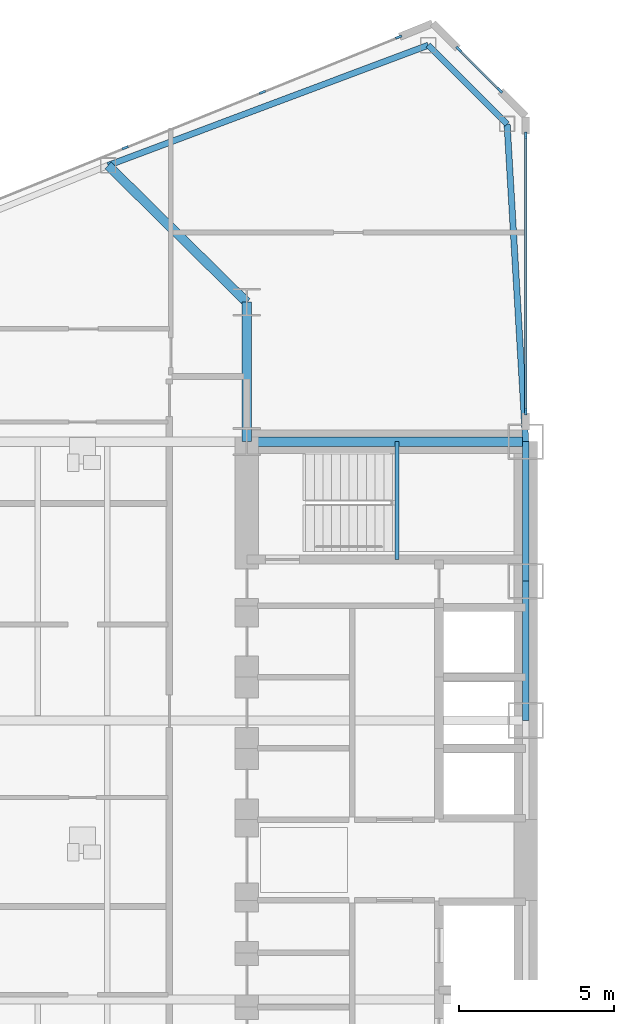
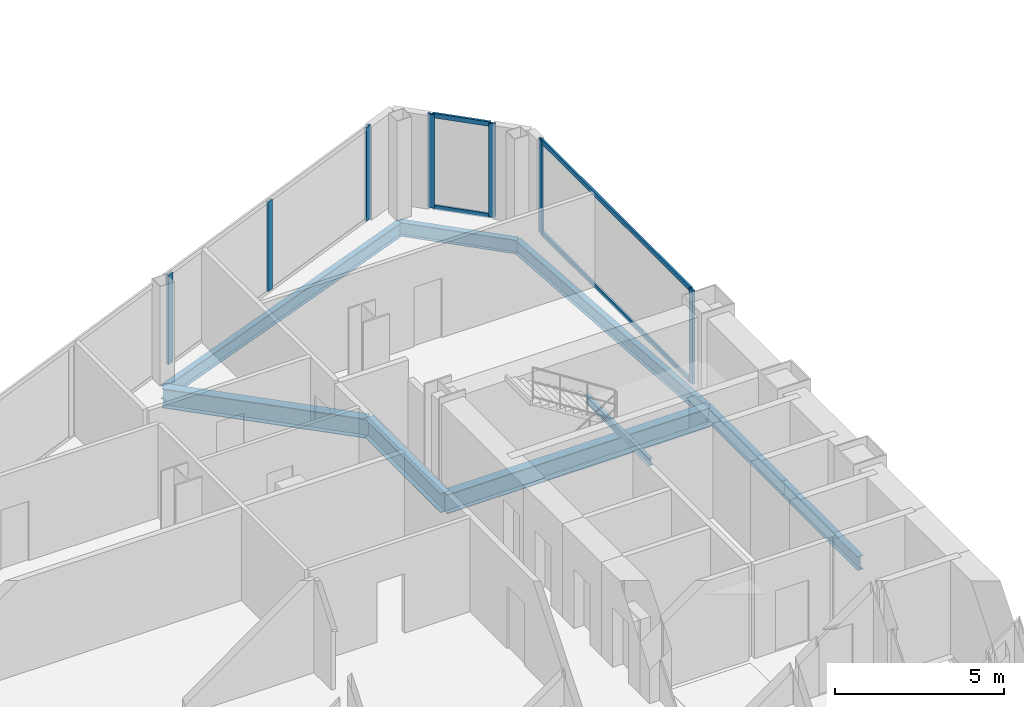
# One storey, part 8 of 25: 11 members, 9 beams, 3 elements without a shape of their own.
"""IFC4 building model written with IfcOpenShell, lengths in metres."""

from ifc_helpers import new_model, si_unit, direction, frame, origin, origin_2d, place, context, subcontext, project, spatial, rectangle, i_section, extrude, source, transform, mapped, material, layer, layer_set, material_profile, profile_set, type_object, type_shapes, element, aggregate, save


model = new_model("IFC4")

# Units and contexts
model_context = context("Model", 3, precision=1e-05, world=origin(), true_north=direction((0.0, 1.0)))
body_context = subcontext(model_context, "Body", "Model", "MODEL_VIEW")
ifc_project = project(units=[si_unit("LENGTHUNIT", "METRE"), si_unit("AREAUNIT", "SQUARE_METRE"), si_unit("VOLUMEUNIT", "CUBIC_METRE"), si_unit("PLANEANGLEUNIT", "RADIAN"), si_unit("MASSUNIT", "GRAM", prefix="KILO")], contexts=[model_context])

# Site, building, storey
site_placement = place(None, origin())
site = spatial("IfcSite", under=ifc_project, at=site_placement, CompositionType="ELEMENT")
building_placement = place(site_placement, origin())
building = spatial("IfcBuilding", under=site, at=building_placement, Name="Seokmaru Belvedere", CompositionType="ELEMENT")
storey_placement = place(building_placement, frame((0.0, 0.0, 36.89990234375)))
storey = spatial("IfcBuildingStorey", under=building, at=storey_placement, Name="L09", CompositionType="ELEMENT", Elevation=36.89990234375)

# Beams
ifc_material_1 = material(Name="Steel SM355 (355 MPa)", Category="steel")
ifc_material_profile_1 = material_profile(ifc_material_1, i_section(OverallWidth=0.199951171875, OverallDepth=0.5, WebThickness=0.010009765625, FlangeThickness=0.01611328125, at=origin_2d()), Name="H-500x200x10x16")
ifc_profile_set_1 = profile_set([ifc_material_profile_1], Name="Steel SM355 (355 MPa)")
beam_type_1 = type_object("IfcBeamType", Name="Perimeter Spandrel Beam H-500", PredefinedType="SPANDREL", material=ifc_profile_set_1)
shared_shape_1 = source(origin(), body_context, "Body", "SweptSolid", [
    extrude(i_section(OverallWidth=0.199951171875, OverallDepth=0.5, WebThickness=0.010009765625, FlangeThickness=0.01611328125, at=origin_2d()), origin(), (0.0, 0.0, 1.0), 4.5),
])
for number, where, z_axis, x_axis, name in (
    (1, (-27.5, 4.5, -0.469970703125), (0.0, 1.0, 0.0), (-1.0, 0.0, 0.0), "L09 W Portal Spine Spandrel 4"),
    (2, (-27.5, 9.0, -0.469970703125), (0.0, 1.0, 0.0), (-1.0, 0.0, 0.0), "L09 W Portal Spine Spandrel 5"),
):
    element("IfcBeam", number, at=place(storey_placement, frame(where, z_axis=z_axis, x_axis=x_axis)), inside=storey, type_object=beam_type_1, Name=name, PredefinedType="SPANDREL", context=body_context, shape_type="MappedRepresentation", body=[
        mapped(shared_shape_1, transform((0.0, 0.0, 0.0), scale=1.0)),
    ])
ifc_material_profile_2 = material_profile(ifc_material_1, i_section(OverallWidth=0.300048828125, OverallDepth=0.699951171875, WebThickness=0.012939453125, FlangeThickness=0.02392578125, at=origin_2d()), Name="H-700x300x13x24")
ifc_profile_set_2 = profile_set([ifc_material_profile_2], Name="Steel SM355 (355 MPa)")
beam_type_2 = type_object("IfcBeamType", Name="Primary Floor Girder H-700", PredefinedType="BEAM", material=ifc_profile_set_2)
shared_shape_2 = source(origin(), body_context, "Body", "SweptSolid", [
    extrude(i_section(OverallWidth=0.300048828125, OverallDepth=0.699951171875, WebThickness=0.012939453125, FlangeThickness=0.02392578125, at=origin_2d()), origin(), (0.0, 0.0, 1.0), 4.5),
])
beam_1_placement = place(storey_placement, frame((-36.5, 13.5, -0.56982421875), z_axis=(0.0, 1.0, 0.0), x_axis=(-1.0, 0.0, 0.0)))
element("IfcBeam", 3, at=beam_1_placement, inside=storey, type_object=beam_type_2, Name="L09 W Core Shoulder Girder N", PredefinedType="BEAM", context=body_context, shape_type="MappedRepresentation", body=[
    mapped(shared_shape_2, transform((0.0, 0.0, 0.0), scale=1.0)),
])
shared_shape_3 = source(origin(), body_context, "Body", "SweptSolid", [
    extrude(i_section(OverallWidth=0.300048828125, OverallDepth=0.699951171875, WebThickness=0.012939453125, FlangeThickness=0.02392578125, at=origin_2d()), origin(), (0.0, 0.0, 1.0), 9.0),
])
beam_2_placement = place(storey_placement, frame((-36.5, 13.5, -0.56982421875), z_axis=(1.0, 0.0, 0.0), x_axis=(0.0, 1.0, 0.0)))
element("IfcBeam", 4, at=beam_2_placement, inside=storey, type_object=beam_type_2, Name="L09 W Core Tie Girder 4", PredefinedType="BEAM", context=body_context, shape_type="MappedRepresentation", body=[
    mapped(shared_shape_3, transform((0.0, 0.0, 0.0), scale=1.0)),
])
shared_shape_4 = source(origin(), body_context, "Body", "SweptSolid", [
    extrude(i_section(OverallWidth=0.199951171875, OverallDepth=0.5, WebThickness=0.010009765625, FlangeThickness=0.01611328125, at=origin_2d()), origin(), (0.0, 0.0, 1.0), 11.03857421875),
])
beam_3_placement = place(storey_placement, frame((-30.643310546875, 26.294677734375, -0.469970703125), z_axis=(-0.936169110734, -0.351549990907, 0.0), x_axis=(0.351549990907, -0.936169110734, 0.0)))
element("IfcBeam", 5, at=beam_3_placement, inside=storey, type_object=beam_type_1, Name="L09 W Faceted Flank Spandrel N-1", PredefinedType="SPANDREL", context=body_context, shape_type="MappedRepresentation", body=[
    mapped(shared_shape_4, transform((0.0, 0.0, 0.0), scale=1.0)),
])
shared_shape_5 = source(origin(), body_context, "Body", "SweptSolid", [
    extrude(i_section(OverallWidth=0.199951171875, OverallDepth=0.5, WebThickness=0.010009765625, FlangeThickness=0.01611328125, at=origin_2d()), origin(), (0.0, 0.0, 1.0), 3.5966796875),
])
beam_4_placement = place(storey_placement, frame((-30.643310546875, 26.294677734375, -0.469970703125), z_axis=(0.707106781187, -0.707106781187, 0.0), x_axis=(0.707106781187, 0.707106781187, 0.0)))
element("IfcBeam", 6, at=beam_4_placement, inside=storey, type_object=beam_type_1, Name="L09 W Shoulder Chamfer Spandrel N", PredefinedType="SPANDREL", context=body_context, shape_type="MappedRepresentation", body=[
    mapped(shared_shape_5, transform((0.0, 0.0, 0.0), scale=1.0)),
])
shared_shape_6 = source(origin(), body_context, "Body", "SweptSolid", [
    extrude(i_section(OverallWidth=0.199951171875, OverallDepth=0.5, WebThickness=0.010009765625, FlangeThickness=0.01611328125, at=origin_2d()), origin(), (0.0, 0.0, 1.0), 10.26904296875),
])
type_shapes(beam_type_1, [shared_shape_1, shared_shape_4, shared_shape_5, shared_shape_6])
beam_5_placement = place(storey_placement, frame((-28.10009765625, 23.75146484375, -0.469970703125), z_axis=(0.058437709399, -0.998291056817, 0.0), x_axis=(0.998291056817, 0.058437709399, 0.0)))
element("IfcBeam", 7, at=beam_5_placement, inside=storey, type_object=beam_type_1, Name="L09 W Shoulder Spine Spandrel N", PredefinedType="SPANDREL", context=body_context, shape_type="MappedRepresentation", body=[
    mapped(shared_shape_6, transform((0.0, 0.0, 0.0), scale=1.0)),
])
shared_shape_7 = source(origin(), body_context, "Body", "SweptSolid", [
    extrude(i_section(OverallWidth=0.300048828125, OverallDepth=0.699951171875, WebThickness=0.012939453125, FlangeThickness=0.02392578125, at=origin_2d()), origin(), (0.0, 0.0, 1.0), 6.287353515625),
])
type_shapes(beam_type_2, [shared_shape_2, shared_shape_3, shared_shape_7])
beam_6_placement = place(storey_placement, frame((-40.977294921875, 22.4140625, -0.56982421875), z_axis=(0.712117485263, -0.702060315915, 0.0), x_axis=(0.702060315915, 0.712117485263, 0.0)))
element("IfcBeam", 8, at=beam_6_placement, inside=storey, type_object=beam_type_2, Name="L09 W Flank Radial Floor Girder N-1", PredefinedType="BEAM", context=body_context, shape_type="MappedRepresentation", body=[
    mapped(shared_shape_7, transform((0.0, 0.0, 0.0), scale=1.0)),
])

# Curtain wall, members
ifc_material_2 = material(Name="Bronze Triple Insulating Glass", Category="glass")
ifc_layer = layer(ifc_material_2, 0.2099609375)
ifc_layer_set = layer_set([ifc_layer], Name="Bronze Triple Insulating Glass")
curtain_wall_type = type_object("IfcCurtainWallType", Name="Low-Rise Faceted Crystal Curtain Wall System CW-2", PredefinedType="NOTDEFINED", material=ifc_layer_set)
curtain_wall_1_placement = place(storey_placement, origin())
curtain_wall_1 = element("IfcCurtainWall", 9, at=curtain_wall_1_placement, inside=storey, type_object=curtain_wall_type, Name="L09 Curtain Wall WSP_2", PredefinedType="NOTDEFINED")
ifc_material_3 = material(Name="Anodised Bronze Aluminium", Category="aluminium")
ifc_material_profile_3 = material_profile(ifc_material_3, rectangle(XDim=0.074951171875, YDim=0.2099609375, at=origin_2d()), Name="CW-M-75x210")
ifc_profile_set_3 = profile_set([ifc_material_profile_3], Name="Anodised Bronze Aluminium")
member_type_1 = type_object("IfcMemberType", Name="Bronze Unitised Mullion 75x210", PredefinedType="MULLION", material=ifc_profile_set_3)
shared_shape_8 = source(origin(), body_context, "Body", "SweptSolid", [
    extrude(rectangle(XDim=0.074951171875, YDim=0.2099609375, at=origin_2d()), origin(), (0.0, 0.0, 1.0), 3.380126953125),
])
member_1_placement = place(storey_placement, frame((-27.5, 14.467529296875, 0.0), z_axis=(0.0, 0.0, 1.0), x_axis=(-1.0, 0.0, 0.0)))
member_1 = element("IfcMember", 10, at=member_1_placement, type_object=member_type_1, Name="CW:L09:WSP_2 Mullion 1", PredefinedType="MULLION", context=body_context, shape_type="MappedRepresentation", body=[
    mapped(shared_shape_8, transform((0.0, 0.0, 0.0), scale=1.0)),
])
member_2_placement = place(storey_placement, frame((-27.5, 23.392578125, 0.0), z_axis=(0.0, 0.0, 1.0), x_axis=(-1.0, 0.0, 0.0)))
member_2 = element("IfcMember", 11, at=member_2_placement, type_object=member_type_1, Name="CW:L09:WSP_2 Mullion 2", PredefinedType="MULLION", context=body_context, shape_type="MappedRepresentation", body=[
    mapped(shared_shape_8, transform((0.0, 0.0, 0.0), scale=1.0)),
])

curtain_wall_2_placement = place(storey_placement, origin())
curtain_wall_2 = element("IfcCurtainWall", 12, at=curtain_wall_2_placement, inside=storey, type_object=curtain_wall_type, Name="L09 Curtain Wall WF2", PredefinedType="NOTDEFINED")
member_3_placement = place(storey_placement, frame((-28.339599609375, 24.839599609375, 0.0), z_axis=(0.0, 0.0, 1.0), x_axis=(-0.707106781187, -0.707106781187, 0.0)))
member_3 = element("IfcMember", 13, at=member_3_placement, type_object=member_type_1, Name="CW:L09:WF2 Mullion 1", PredefinedType="MULLION", context=body_context, shape_type="MappedRepresentation", body=[
    mapped(shared_shape_8, transform((0.0, 0.0, 0.0), scale=1.0)),
])
member_4_placement = place(storey_placement, frame((-29.660400390625, 26.160400390625, 0.0), z_axis=(0.0, 0.0, 1.0), x_axis=(-0.707106781187, -0.707106781187, 0.0)))
member_4 = element("IfcMember", 14, at=member_4_placement, type_object=member_type_1, Name="CW:L09:WF2 Mullion 2", PredefinedType="MULLION", context=body_context, shape_type="MappedRepresentation", body=[
    mapped(shared_shape_8, transform((0.0, 0.0, 0.0), scale=1.0)),
])

# Curtain wall, member
curtain_wall_3_placement = place(storey_placement, origin())
curtain_wall_3 = element("IfcCurtainWall", 15, at=curtain_wall_3_placement, inside=storey, type_object=curtain_wall_type, Name="L09 Curtain Wall WF3", PredefinedType="NOTDEFINED")
member_5_placement = place(storey_placement, frame((-31.600830078125, 26.554443359375, 0.0), z_axis=(0.0, 0.0, 1.0), x_axis=(0.375192321888, -0.926946989637, 0.0)))
member_5 = element("IfcMember", 16, at=member_5_placement, type_object=member_type_1, Name="CW:L09:WF3 Mullion 1", PredefinedType="MULLION", context=body_context, shape_type="MappedRepresentation", body=[
    mapped(shared_shape_8, transform((0.0, 0.0, 0.0), scale=1.0)),
])

# Member
ifc_material_profile_4 = material_profile(ifc_material_3, rectangle(XDim=0.070068359375, YDim=0.1650390625, at=origin_2d()), Name="CW-T-70x165")
ifc_profile_set_4 = profile_set([ifc_material_profile_4], Name="Anodised Bronze Aluminium")
member_type_2 = type_object("IfcMemberType", Name="Bronze Unitised Transom 70x165", PredefinedType="USERDEFINED", material=ifc_profile_set_4)
shared_shape_9 = source(origin(), body_context, "Body", "SweptSolid", [
    extrude(rectangle(XDim=0.070068359375, YDim=0.1650390625, at=origin_2d()), origin(), (0.0, 0.0, 1.0), 8.85009765625),
])
member_6_placement = place(storey_placement, frame((-27.5, 14.5048828125, 0.03515625), z_axis=(0.0, 1.0, 0.0), x_axis=(-1.0, 0.0, 0.0)))
member_6 = element("IfcMember", 17, at=member_6_placement, type_object=member_type_2, Name="CW:L09:WSP_2 Continuous Transom 1", ObjectType="TRANSOM", PredefinedType="USERDEFINED", context=body_context, shape_type="MappedRepresentation", body=[
    mapped(shared_shape_9, transform((0.0, 0.0, 0.0), scale=1.0)),
])

member_7_placement = place(storey_placement, frame((-27.5, 14.5048828125, 3.34521484375), z_axis=(0.0, 1.0, 0.0), x_axis=(-1.0, 0.0, 0.0)))
member_7 = element("IfcMember", 18, at=member_7_placement, type_object=member_type_2, Name="CW:L09:WSP_2 Continuous Transom 2", ObjectType="TRANSOM", PredefinedType="USERDEFINED", context=body_context, shape_type="MappedRepresentation", body=[
    mapped(shared_shape_9, transform((0.0, 0.0, 0.0), scale=1.0)),
])

aggregate(curtain_wall_1, [member_1, member_2, member_6, member_7])

shared_shape_10 = source(origin(), body_context, "Body", "SweptSolid", [
    extrude(rectangle(XDim=0.070068359375, YDim=0.1650390625, at=origin_2d()), origin(), (0.0, 0.0, 1.0), 1.792724609375),
])
type_shapes(member_type_2, [shared_shape_9, shared_shape_10])
member_8_placement = place(storey_placement, frame((-28.3662109375, 24.8662109375, 0.03515625), z_axis=(-0.707106781187, 0.707106781187, 0.0), x_axis=(-0.707106781187, -0.707106781187, 0.0)))
member_8 = element("IfcMember", 19, at=member_8_placement, type_object=member_type_2, Name="CW:L09:WF2 Continuous Transom 1", ObjectType="TRANSOM", PredefinedType="USERDEFINED", context=body_context, shape_type="MappedRepresentation", body=[
    mapped(shared_shape_10, transform((0.0, 0.0, 0.0), scale=1.0)),
])

member_9_placement = place(storey_placement, frame((-28.3662109375, 24.8662109375, 3.34521484375), z_axis=(-0.707106781187, 0.707106781187, 0.0), x_axis=(-0.707106781187, -0.707106781187, 0.0)))
member_9 = element("IfcMember", 20, at=member_9_placement, type_object=member_type_2, Name="CW:L09:WF2 Continuous Transom 2", ObjectType="TRANSOM", PredefinedType="USERDEFINED", context=body_context, shape_type="MappedRepresentation", body=[
    mapped(shared_shape_10, transform((0.0, 0.0, 0.0), scale=1.0)),
])

aggregate(curtain_wall_2, [member_3, member_4, member_8, member_9])

shared_shape_11 = source(origin(), body_context, "Body", "SweptSolid", [
    extrude(rectangle(XDim=0.074951171875, YDim=0.2099609375, at=origin_2d()), origin(), (0.0, 0.0, 1.0), 3.239990234375),
])
type_shapes(member_type_1, [shared_shape_8, shared_shape_11])
member_10_placement = place(storey_placement, frame((-35.995849609375, 24.775390625, 0.070068359375), z_axis=(0.0, 0.0, 1.0), x_axis=(0.375192321888, -0.926946989637, 0.0)))
member_10 = element("IfcMember", 21, at=member_10_placement, type_object=member_type_1, Name="CW:L09:WF3 Mullion 2", PredefinedType="MULLION", context=body_context, shape_type="MappedRepresentation", body=[
    mapped(shared_shape_11, transform((0.0, 0.0, 0.0), scale=1.0)),
])

member_11_placement = place(storey_placement, frame((-40.425537109375, 22.982421875, 0.070068359375), z_axis=(0.0, 0.0, 1.0), x_axis=(0.375192321888, -0.926946989637, 0.0)))
member_11 = element("IfcMember", 22, at=member_11_placement, type_object=member_type_1, Name="CW:L09:WF3 Mullion 3", PredefinedType="MULLION", context=body_context, shape_type="MappedRepresentation", body=[
    mapped(shared_shape_11, transform((0.0, 0.0, 0.0), scale=1.0)),
])

aggregate(curtain_wall_3, [member_5, member_10, member_11])

# Beam
ifc_material_profile_5 = material_profile(ifc_material_1, i_section(OverallWidth=0.125, OverallDepth=0.25, WebThickness=0.006103515625, FlangeThickness=0.009033203125, at=origin_2d()), Name="H-250x125x6x9")
ifc_profile_set_5 = profile_set([ifc_material_profile_5], Name="Steel SM355 (355 MPa)")
beam_type_3 = type_object("IfcBeamType", Name="Stair Mid-Landing Support Beam H-250", PredefinedType="JOIST", material=ifc_profile_set_5)
shared_shape_12 = source(origin(), body_context, "Body", "SweptSolid", [
    extrude(i_section(OverallWidth=0.125, OverallDepth=0.25, WebThickness=0.006103515625, FlangeThickness=0.009033203125, at=origin_2d()), origin(), (0.0, 0.0, 1.0), 3.800048828125),
])
type_shapes(beam_type_3, [shared_shape_12])
beam_7_placement = place(storey_placement, frame((-31.64990234375, 9.699951171875, 1.47509765625), z_axis=(0.0, 1.0, 0.0), x_axis=(-1.0, 0.0, 0.0)))
element("IfcBeam", 23, at=beam_7_placement, inside=storey, type_object=beam_type_3, Name="L09 Stair ST-W2 Mid-Landing Support Beam 1", PredefinedType="JOIST", context=body_context, shape_type="MappedRepresentation", body=[
    mapped(shared_shape_12, transform((0.0, 0.0, 0.0), scale=1.0)),
])

save(model, "model.ifc")
